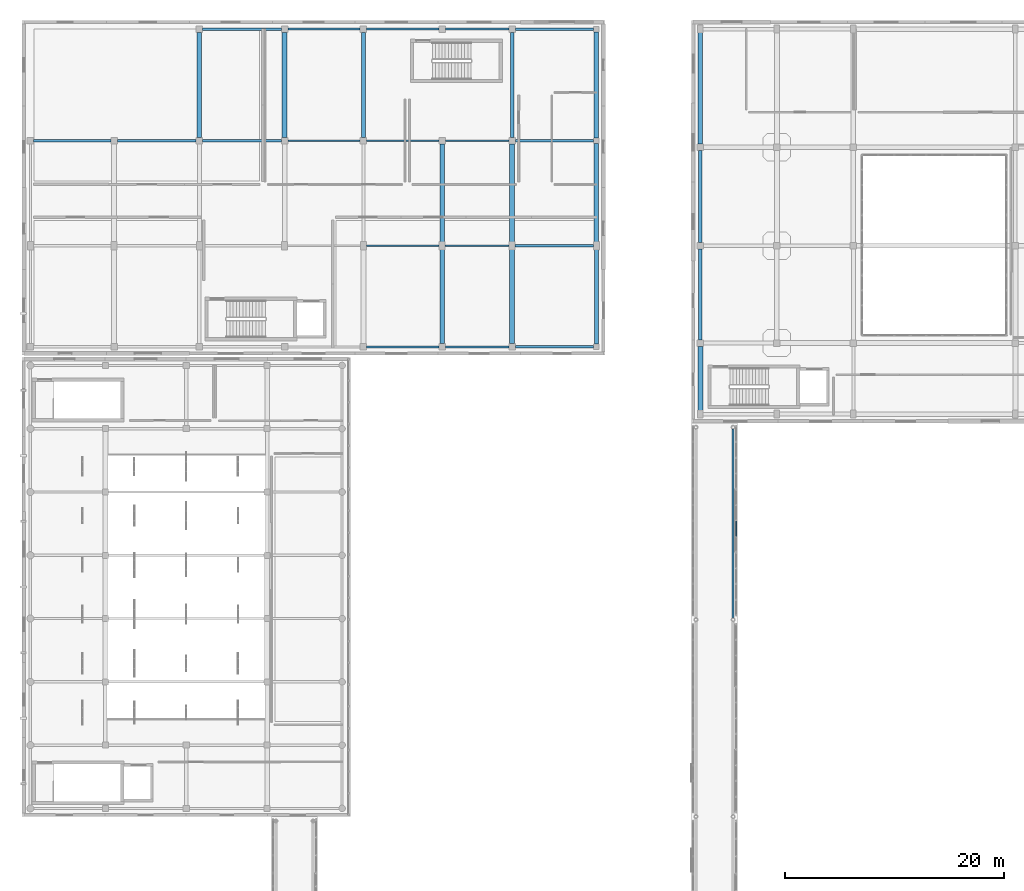
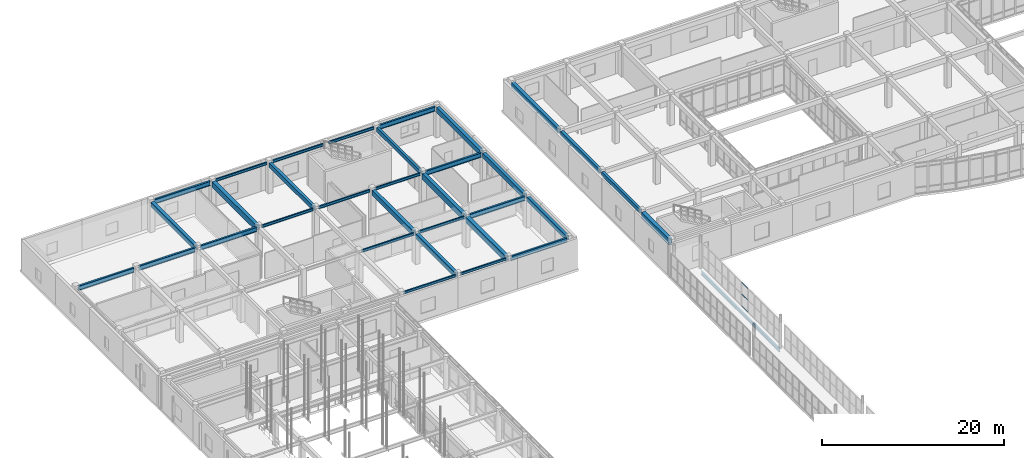
# One storey, part 65 of 142: 34 beams, 3 members, 1 element without a shape of its own.
"""IFC4 building model written with IfcOpenShell, lengths in metres."""

from ifc_helpers import new_model, si_unit, direction, frame, origin, origin_2d, place, context, subcontext, project, spatial, rectangle, hollow_rectangle, i_section, extrude, material, layer, layer_set, material_profile, profile_set, type_object, element, aggregate, save


model = new_model("IFC4")

# Units and contexts
model_context = context("Model", 3, precision=1e-05, world=origin(), true_north=direction((0.0, 1.0)))
body_context = subcontext(model_context, "Body", "Model", "MODEL_VIEW")
ifc_project = project(units=[si_unit("LENGTHUNIT", "METRE"), si_unit("AREAUNIT", "SQUARE_METRE"), si_unit("VOLUMEUNIT", "CUBIC_METRE"), si_unit("PLANEANGLEUNIT", "RADIAN"), si_unit("MASSUNIT", "GRAM", prefix="KILO")], contexts=[model_context])

# Site, building, storey
site_placement = place(None, origin())
site = spatial("IfcSite", under=ifc_project, at=site_placement, CompositionType="ELEMENT")
building_placement = place(site_placement, origin())
building = spatial("IfcBuilding", under=site, at=building_placement, Name="Valcora Specialist Clinic", CompositionType="ELEMENT")
storey_placement = place(building_placement, frame((0.0, 0.0, 5.10009765625)))
storey = spatial("IfcBuildingStorey", under=building, at=storey_placement, Name="L01", CompositionType="ELEMENT", Elevation=5.10009765625)

# Beams
ifc_material_1 = material(Name="Steel ASTM A992 Grade 50", Category="steel")
ifc_material_profile_1 = material_profile(ifc_material_1, i_section(OverallWidth=0.18994140625, OverallDepth=0.45703125, WebThickness=0.009033203125, FlangeThickness=0.014892578125, at=origin_2d()), Name="ST-IR-460X190")
ifc_profile_set_1 = profile_set([ifc_material_profile_1], Name="Steel ASTM A992 Grade 50")
beam_type_1 = type_object("IfcBeamType", Name="TY-BG-IR460", PredefinedType="HOLLOWCORE", material=ifc_profile_set_1)
beam_1_placement = place(storey_placement, frame((65.0, 56.159912109375, -0.482666015625), z_axis=(0.0, 1.0, 0.0), x_axis=(-1.0, 0.0, 0.0)))
element("IfcBeam", 1, at=beam_1_placement, inside=storey, type_object=beam_type_1, Name="Bridge girder BM-L01-1623", PredefinedType="HOLLOWCORE", context=body_context, shape_type="SweptSolid", body=[
    extrude(i_section(OverallWidth=0.18994140625, OverallDepth=0.45703125, WebThickness=0.009033203125, FlangeThickness=0.014892578125, at=origin_2d()), origin(), (0.0, 0.0, 1.0), 17.280029296875),
])
ifc_material_profile_2 = material_profile(ifc_material_1, i_section(OverallWidth=0.1708984375, OverallDepth=0.35595703125, WebThickness=0.008056640625, FlangeThickness=0.011962890625, at=origin_2d()), Name="ST-IR-360X170")
ifc_profile_set_2 = profile_set([ifc_material_profile_2], Name="Steel ASTM A992 Grade 50")
beam_type_2 = type_object("IfcBeamType", Name="TY-BM-IR360", PredefinedType="BEAM", material=ifc_profile_set_2)
beam_2_placement = place(storey_placement, frame((31.5, 80.949951171875, 3.947998046875), z_axis=(1.0, 0.0, 0.0), x_axis=(0.0, 1.0, 0.0)))
element("IfcBeam", 2, at=beam_2_placement, inside=storey, type_object=beam_type_2, Name="Beam BM-L01-0291", PredefinedType="BEAM", context=body_context, shape_type="SweptSolid", body=[
    extrude(i_section(OverallWidth=0.1708984375, OverallDepth=0.35595703125, WebThickness=0.008056640625, FlangeThickness=0.011962890625, at=origin_2d()), origin(), (0.0, 0.0, 1.0), 6.60009765625),
])
beam_3_placement = place(storey_placement, frame((38.699951171875, 80.949951171875, 3.947998046875), z_axis=(1.0, 0.0, 0.0), x_axis=(0.0, 1.0, 0.0)))
element("IfcBeam", 3, at=beam_3_placement, inside=storey, type_object=beam_type_2, Name="Beam BM-L01-0292", PredefinedType="BEAM", context=body_context, shape_type="SweptSolid", body=[
    extrude(i_section(OverallWidth=0.1708984375, OverallDepth=0.35595703125, WebThickness=0.008056640625, FlangeThickness=0.011962890625, at=origin_2d()), origin(), (0.0, 0.0, 1.0), 5.800048828125),
])
beam_4_placement = place(storey_placement, frame((31.47509765625, 90.199951171875, 3.947998046875), z_axis=(1.0, 0.0, 0.0), x_axis=(0.0, 1.0, 0.0)))
element("IfcBeam", 4, at=beam_4_placement, inside=storey, type_object=beam_type_2, Name="Beam BM-L01-0298", PredefinedType="BEAM", context=body_context, shape_type="SweptSolid", body=[
    extrude(i_section(OverallWidth=0.1708984375, OverallDepth=0.35595703125, WebThickness=0.008056640625, FlangeThickness=0.011962890625, at=origin_2d()), origin(), (0.0, 0.0, 1.0), 6.64990234375),
])
beam_5_placement = place(storey_placement, frame((38.675048828125, 90.199951171875, 3.947998046875), z_axis=(1.0, 0.0, 0.0), x_axis=(0.0, 1.0, 0.0)))
element("IfcBeam", 5, at=beam_5_placement, inside=storey, type_object=beam_type_2, Name="Beam BM-L01-0299", PredefinedType="BEAM", context=body_context, shape_type="SweptSolid", body=[
    extrude(i_section(OverallWidth=0.1708984375, OverallDepth=0.35595703125, WebThickness=0.008056640625, FlangeThickness=0.011962890625, at=origin_2d()), origin(), (0.0, 0.0, 1.0), 5.849853515625),
])
beam_6_placement = place(storey_placement, frame((24.300048828125, 99.800048828125, 3.947998046875), z_axis=(1.0, 0.0, 0.0), x_axis=(0.0, 1.0, 0.0)))
element("IfcBeam", 6, at=beam_6_placement, inside=storey, type_object=beam_type_2, Name="Beam BM-L01-0304", PredefinedType="BEAM", context=body_context, shape_type="SweptSolid", body=[
    extrude(i_section(OverallWidth=0.1708984375, OverallDepth=0.35595703125, WebThickness=0.008056640625, FlangeThickness=0.011962890625, at=origin_2d()), origin(), (0.0, 0.0, 1.0), 6.599853515625),
])
beam_7_placement = place(storey_placement, frame((31.5, 99.800048828125, 3.947998046875), z_axis=(1.0, 0.0, 0.0), x_axis=(0.0, 1.0, 0.0)))
element("IfcBeam", 7, at=beam_7_placement, inside=storey, type_object=beam_type_2, Name="Beam BM-L01-0305", PredefinedType="BEAM", context=body_context, shape_type="SweptSolid", body=[
    extrude(i_section(OverallWidth=0.1708984375, OverallDepth=0.35595703125, WebThickness=0.008056640625, FlangeThickness=0.011962890625, at=origin_2d()), origin(), (0.0, 0.0, 1.0), 6.60009765625),
])
beam_8_placement = place(storey_placement, frame((38.699951171875, 99.800048828125, 3.947998046875), z_axis=(1.0, 0.0, 0.0), x_axis=(0.0, 1.0, 0.0)))
element("IfcBeam", 8, at=beam_8_placement, inside=storey, type_object=beam_type_2, Name="Beam BM-L01-0306", PredefinedType="BEAM", context=body_context, shape_type="SweptSolid", body=[
    extrude(i_section(OverallWidth=0.1708984375, OverallDepth=0.35595703125, WebThickness=0.008056640625, FlangeThickness=0.011962890625, at=origin_2d()), origin(), (0.0, 0.0, 1.0), 5.800048828125),
])
beam_9_placement = place(storey_placement, frame((24.300048828125, 110.0, 3.947998046875), z_axis=(1.0, 0.0, 0.0), x_axis=(0.0, 1.0, 0.0)))
element("IfcBeam", 9, at=beam_9_placement, inside=storey, type_object=beam_type_2, Name="Beam BM-L01-0309", PredefinedType="BEAM", context=body_context, shape_type="SweptSolid", body=[
    extrude(i_section(OverallWidth=0.1708984375, OverallDepth=0.35595703125, WebThickness=0.008056640625, FlangeThickness=0.011962890625, at=origin_2d()), origin(), (0.0, 0.0, 1.0), 6.599853515625),
])
beam_10_placement = place(storey_placement, frame((31.5, 110.0, 3.947998046875), z_axis=(1.0, 0.0, 0.0), x_axis=(0.0, 1.0, 0.0)))
element("IfcBeam", 10, at=beam_10_placement, inside=storey, type_object=beam_type_2, Name="Beam BM-L01-0310", PredefinedType="BEAM", context=body_context, shape_type="SweptSolid", body=[
    extrude(i_section(OverallWidth=0.1708984375, OverallDepth=0.35595703125, WebThickness=0.008056640625, FlangeThickness=0.011962890625, at=origin_2d()), origin(), (0.0, 0.0, 1.0), 6.60009765625),
])
beam_11_placement = place(storey_placement, frame((38.699951171875, 110.0, 3.947998046875), z_axis=(1.0, 0.0, 0.0), x_axis=(0.0, 1.0, 0.0)))
element("IfcBeam", 11, at=beam_11_placement, inside=storey, type_object=beam_type_2, Name="Beam BM-L01-0311", PredefinedType="BEAM", context=body_context, shape_type="SweptSolid", body=[
    extrude(i_section(OverallWidth=0.1708984375, OverallDepth=0.35595703125, WebThickness=0.008056640625, FlangeThickness=0.011962890625, at=origin_2d()), origin(), (0.0, 0.0, 1.0), 5.800048828125),
])
ifc_material_profile_3 = material_profile(ifc_material_1, i_section(OverallWidth=0.22900390625, OverallDepth=0.612060546875, WebThickness=0.011962890625, FlangeThickness=0.02001953125, at=origin_2d()), Name="ST-IR-610X229")
ifc_profile_set_3 = profile_set([ifc_material_profile_3], Name="Steel ASTM A992 Grade 50")
beam_type_3 = type_object("IfcBeamType", Name="TY-BM-IR610", PredefinedType="BEAM", material=ifc_profile_set_3)
beam_12_placement = place(storey_placement, frame((45.10009765625, 80.949951171875, 3.81982421875), z_axis=(1.0, 0.0, 0.0), x_axis=(0.0, 1.0, 0.0)))
element("IfcBeam", 12, at=beam_12_placement, inside=storey, type_object=beam_type_3, Name="Beam BM-L01-0293", PredefinedType="BEAM", context=body_context, shape_type="SweptSolid", body=[
    extrude(i_section(OverallWidth=0.22900390625, OverallDepth=0.612060546875, WebThickness=0.011962890625, FlangeThickness=0.02001953125, at=origin_2d()), origin(), (0.0, 0.0, 1.0), 7.14990234375),
])
beam_13_placement = place(storey_placement, frame((45.074951171875, 90.199951171875, 3.81982421875), z_axis=(1.0, 0.0, 0.0), x_axis=(0.0, 1.0, 0.0)))
element("IfcBeam", 13, at=beam_13_placement, inside=storey, type_object=beam_type_3, Name="Beam BM-L01-0300", PredefinedType="BEAM", context=body_context, shape_type="SweptSolid", body=[
    extrude(i_section(OverallWidth=0.22900390625, OverallDepth=0.612060546875, WebThickness=0.011962890625, FlangeThickness=0.02001953125, at=origin_2d()), origin(), (0.0, 0.0, 1.0), 7.150146484375),
])
beam_14_placement = place(storey_placement, frame((1.050048828125, 99.800048828125, 3.81982421875), z_axis=(1.0, 0.0, 0.0), x_axis=(0.0, 1.0, 0.0)))
element("IfcBeam", 14, at=beam_14_placement, inside=storey, type_object=beam_type_3, Name="Beam BM-L01-0301", PredefinedType="BEAM", context=body_context, shape_type="SweptSolid", body=[
    extrude(i_section(OverallWidth=0.22900390625, OverallDepth=0.612060546875, WebThickness=0.011962890625, FlangeThickness=0.02001953125, at=origin_2d()), origin(), (0.0, 0.0, 1.0), 7.050048828125),
])
for number, where, z_axis, x_axis, name in (
    (15, (8.699951171875, 99.800048828125, 3.81982421875), (1.0, 0.0, 0.0), (0.0, 1.0, 0.0), "Beam BM-L01-0302"),
    (16, (16.5, 99.800048828125, 3.81982421875), (1.0, 0.0, 0.0), (0.0, 1.0, 0.0), "Beam BM-L01-0303"),
):
    element("IfcBeam", number, at=place(storey_placement, frame(where, z_axis=z_axis, x_axis=x_axis)), inside=storey, type_object=beam_type_3, Name=name, PredefinedType="BEAM", context=body_context, shape_type="SweptSolid", body=[
        extrude(i_section(OverallWidth=0.22900390625, OverallDepth=0.612060546875, WebThickness=0.011962890625, FlangeThickness=0.02001953125, at=origin_2d()), origin(), (0.0, 0.0, 1.0), 7.199951171875),
    ])
beam_15_placement = place(storey_placement, frame((45.10009765625, 99.800048828125, 3.81982421875), z_axis=(1.0, 0.0, 0.0), x_axis=(0.0, 1.0, 0.0)))
element("IfcBeam", 17, at=beam_15_placement, inside=storey, type_object=beam_type_3, Name="Beam BM-L01-0307", PredefinedType="BEAM", context=body_context, shape_type="SweptSolid", body=[
    extrude(i_section(OverallWidth=0.22900390625, OverallDepth=0.612060546875, WebThickness=0.011962890625, FlangeThickness=0.02001953125, at=origin_2d()), origin(), (0.0, 0.0, 1.0), 7.14990234375),
])
beam_16_placement = place(storey_placement, frame((16.5, 110.0, 3.81982421875), z_axis=(1.0, 0.0, 0.0), x_axis=(0.0, 1.0, 0.0)))
element("IfcBeam", 18, at=beam_16_placement, inside=storey, type_object=beam_type_3, Name="Beam BM-L01-0308", PredefinedType="BEAM", context=body_context, shape_type="SweptSolid", body=[
    extrude(i_section(OverallWidth=0.22900390625, OverallDepth=0.612060546875, WebThickness=0.011962890625, FlangeThickness=0.02001953125, at=origin_2d()), origin(), (0.0, 0.0, 1.0), 7.199951171875),
])
beam_17_placement = place(storey_placement, frame((45.10009765625, 110.0, 3.81982421875), z_axis=(1.0, 0.0, 0.0), x_axis=(0.0, 1.0, 0.0)))
element("IfcBeam", 19, at=beam_17_placement, inside=storey, type_object=beam_type_3, Name="Beam BM-L01-0312", PredefinedType="BEAM", context=body_context, shape_type="SweptSolid", body=[
    extrude(i_section(OverallWidth=0.22900390625, OverallDepth=0.612060546875, WebThickness=0.011962890625, FlangeThickness=0.02001953125, at=origin_2d()), origin(), (0.0, 0.0, 1.0), 7.14990234375),
])
ifc_material_2 = material(Name="Concrete C40/50", Category="concrete")
ifc_material_profile_4 = material_profile(ifc_material_2, rectangle(XDim=0.300048828125, YDim=0.550048828125, at=origin_2d()), Name="RC-BM-300X550")
ifc_profile_set_4 = profile_set([ifc_material_profile_4], Name="Concrete C40/50")
beam_type_4 = type_object("IfcBeamType", Name="TY-BM-RC300X550", PredefinedType="BEAM", material=ifc_profile_set_4)
beam_18_placement = place(storey_placement, frame((44.800048828125, 100.10009765625, 3.85498046875), z_axis=(0.0, 1.0, 0.0), x_axis=(-1.0, 0.0, 0.0)))
element("IfcBeam", 20, at=beam_18_placement, inside=storey, type_object=beam_type_4, Name="Beam BM-L01-0329", PredefinedType="BEAM", context=body_context, shape_type="SweptSolid", body=[
    extrude(rectangle(XDim=0.300048828125, YDim=0.550048828125, at=origin_2d()), origin(), (0.0, 0.0, 1.0), 9.599853515625),
])
beam_19_placement = place(storey_placement, frame((62.0, 81.60009765625, 3.869873046875), z_axis=(0.0, 1.0, 0.0), x_axis=(-1.0, 0.0, 0.0)))
element("IfcBeam", 21, at=beam_19_placement, inside=storey, type_object=beam_type_4, Name="Beam BM-L01-0659", PredefinedType="BEAM", context=body_context, shape_type="SweptSolid", body=[
    extrude(rectangle(XDim=0.300048828125, YDim=0.550048828125, at=origin_2d()), origin(), (0.0, 0.0, 1.0), 8.2998046875),
])
ifc_material_profile_5 = material_profile(ifc_material_2, rectangle(XDim=0.35009765625, YDim=0.60009765625, at=origin_2d()), Name="RC-BM-350X600")
ifc_profile_set_5 = profile_set([ifc_material_profile_5], Name="Concrete C40/50")
beam_type_5 = type_object("IfcBeamType", Name="TY-BM-RC350X600", PredefinedType="BEAM", material=ifc_profile_set_5)
beam_20_placement = place(storey_placement, frame((31.199951171875, 100.10009765625, 3.829833984375), z_axis=(0.0, 1.0, 0.0), x_axis=(-1.0, 0.0, 0.0)))
element("IfcBeam", 22, at=beam_20_placement, inside=storey, type_object=beam_type_5, Name="Beam BM-L01-0324", PredefinedType="BEAM", context=body_context, shape_type="SweptSolid", body=[
    extrude(rectangle(XDim=0.35009765625, YDim=0.60009765625, at=origin_2d()), origin(), (0.0, 0.0, 1.0), 9.599853515625),
])
beam_21_placement = place(storey_placement, frame((52.5, 81.199951171875, 3.829833984375), z_axis=(0.0, 1.0, 0.0), x_axis=(-1.0, 0.0, 0.0)))
element("IfcBeam", 23, at=beam_21_placement, inside=storey, type_object=beam_type_5, Name="Beam BM-L01-0330", PredefinedType="BEAM", context=body_context, shape_type="SweptSolid", body=[
    extrude(rectangle(XDim=0.35009765625, YDim=0.60009765625, at=origin_2d()), origin(), (0.0, 0.0, 1.0), 8.72509765625),
])
beam_22_placement = place(storey_placement, frame((62.0, 90.5, 3.844970703125), z_axis=(0.0, 1.0, 0.0), x_axis=(-1.0, 0.0, 0.0)))
element("IfcBeam", 24, at=beam_22_placement, inside=storey, type_object=beam_type_5, Name="Beam BM-L01-0660", PredefinedType="BEAM", context=body_context, shape_type="SweptSolid", body=[
    extrude(rectangle(XDim=0.35009765625, YDim=0.60009765625, at=origin_2d()), origin(), (0.0, 0.0, 1.0), 8.39990234375),
])
ifc_material_profile_6 = material_profile(ifc_material_2, rectangle(XDim=0.39990234375, YDim=0.64990234375, at=origin_2d()), Name="RC-BM-400X650")
ifc_profile_set_6 = profile_set([ifc_material_profile_6], Name="Concrete C40/50")
beam_type_6 = type_object("IfcBeamType", Name="TY-BM-RC400X650", PredefinedType="BEAM", material=ifc_profile_set_6)
beam_23_placement = place(storey_placement, frame((16.199951171875, 100.10009765625, 3.804931640625), z_axis=(0.0, 1.0, 0.0), x_axis=(-1.0, 0.0, 0.0)))
element("IfcBeam", 25, at=beam_23_placement, inside=storey, type_object=beam_type_6, Name="Beam BM-L01-0319", PredefinedType="BEAM", context=body_context, shape_type="SweptSolid", body=[
    extrude(rectangle(XDim=0.39990234375, YDim=0.64990234375, at=origin_2d()), origin(), (0.0, 0.0, 1.0), 9.599853515625),
])
beam_24_placement = place(storey_placement, frame((38.39990234375, 81.25, 3.804931640625), z_axis=(0.0, 1.0, 0.0), x_axis=(-1.0, 0.0, 0.0)))
element("IfcBeam", 26, at=beam_24_placement, inside=storey, type_object=beam_type_6, Name="Beam BM-L01-0325", PredefinedType="BEAM", context=body_context, shape_type="SweptSolid", body=[
    extrude(rectangle(XDim=0.39990234375, YDim=0.64990234375, at=origin_2d()), origin(), (0.0, 0.0, 1.0), 8.675048828125),
])
beam_25_placement = place(storey_placement, frame((52.5, 90.47509765625, 3.804931640625), z_axis=(0.0, 1.0, 0.0), x_axis=(-1.0, 0.0, 0.0)))
element("IfcBeam", 27, at=beam_25_placement, inside=storey, type_object=beam_type_6, Name="Beam BM-L01-0331", PredefinedType="BEAM", context=body_context, shape_type="SweptSolid", body=[
    extrude(rectangle(XDim=0.39990234375, YDim=0.64990234375, at=origin_2d()), origin(), (0.0, 0.0, 1.0), 9.074951171875),
])
beam_26_placement = place(storey_placement, frame((62.0, 99.5, 3.81982421875), z_axis=(0.0, 1.0, 0.0), x_axis=(-1.0, 0.0, 0.0)))
element("IfcBeam", 28, at=beam_26_placement, inside=storey, type_object=beam_type_6, Name="Beam BM-L01-0661", PredefinedType="BEAM", context=body_context, shape_type="SweptSolid", body=[
    extrude(rectangle(XDim=0.39990234375, YDim=0.64990234375, at=origin_2d()), origin(), (0.0, 0.0, 1.0), 10.25),
])
ifc_material_profile_7 = material_profile(ifc_material_2, rectangle(XDim=0.39990234375, YDim=0.699951171875, at=origin_2d()), Name="RC-BM-400X700")
ifc_profile_set_7 = profile_set([ifc_material_profile_7], Name="Concrete C40/50")
beam_type_7 = type_object("IfcBeamType", Name="TY-BM-RC400X700", PredefinedType="BEAM", material=ifc_profile_set_7)
beam_27_placement = place(storey_placement, frame((38.39990234375, 90.47509765625, 3.77978515625), z_axis=(0.0, 1.0, 0.0), x_axis=(-1.0, 0.0, 0.0)))
element("IfcBeam", 29, at=beam_27_placement, inside=storey, type_object=beam_type_7, Name="Beam BM-L01-0326", PredefinedType="BEAM", context=body_context, shape_type="SweptSolid", body=[
    extrude(rectangle(XDim=0.39990234375, YDim=0.699951171875, at=origin_2d()), origin(), (0.0, 0.0, 1.0), 9.02490234375),
])
beam_28_placement = place(storey_placement, frame((52.5, 100.050048828125, 3.77978515625), z_axis=(0.0, 1.0, 0.0), x_axis=(-1.0, 0.0, 0.0)))
element("IfcBeam", 30, at=beam_28_placement, inside=storey, type_object=beam_type_7, Name="Beam BM-L01-0332", PredefinedType="BEAM", context=body_context, shape_type="SweptSolid", body=[
    extrude(rectangle(XDim=0.39990234375, YDim=0.699951171875, at=origin_2d()), origin(), (0.0, 0.0, 1.0), 9.699951171875),
])
ifc_material_profile_8 = material_profile(ifc_material_2, rectangle(XDim=0.449951171875, YDim=0.75, at=origin_2d()), Name="RC-BM-450X750")
ifc_profile_set_8 = profile_set([ifc_material_profile_8], Name="Concrete C40/50")
beam_type_8 = type_object("IfcBeamType", Name="TY-BM-RC450X750", PredefinedType="BEAM", material=ifc_profile_set_8)
beam_29_placement = place(storey_placement, frame((24.0, 100.10009765625, 3.7548828125), z_axis=(0.0, 1.0, 0.0), x_axis=(-1.0, 0.0, 0.0)))
element("IfcBeam", 31, at=beam_29_placement, inside=storey, type_object=beam_type_8, Name="Beam BM-L01-0321", PredefinedType="BEAM", context=body_context, shape_type="SweptSolid", body=[
    extrude(rectangle(XDim=0.449951171875, YDim=0.75, at=origin_2d()), origin(), (0.0, 0.0, 1.0), 9.599853515625),
])
beam_30_placement = place(storey_placement, frame((44.800048828125, 81.25, 3.7548828125), z_axis=(0.0, 1.0, 0.0), x_axis=(-1.0, 0.0, 0.0)))
element("IfcBeam", 32, at=beam_30_placement, inside=storey, type_object=beam_type_8, Name="Beam BM-L01-0327", PredefinedType="BEAM", context=body_context, shape_type="SweptSolid", body=[
    extrude(rectangle(XDim=0.449951171875, YDim=0.75, at=origin_2d()), origin(), (0.0, 0.0, 1.0), 8.675048828125),
])
ifc_material_profile_9 = material_profile(ifc_material_2, rectangle(XDim=0.449951171875, YDim=0.800048828125, at=origin_2d()), Name="RC-BM-450X800")
ifc_profile_set_9 = profile_set([ifc_material_profile_9], Name="Concrete C40/50")
beam_type_9 = type_object("IfcBeamType", Name="TY-BM-RC450X800", PredefinedType="BEAM", material=ifc_profile_set_9)
beam_31_placement = place(storey_placement, frame((44.800048828125, 90.47509765625, 3.72998046875), z_axis=(0.0, 1.0, 0.0), x_axis=(-1.0, 0.0, 0.0)))
element("IfcBeam", 33, at=beam_31_placement, inside=storey, type_object=beam_type_9, Name="Beam BM-L01-0328", PredefinedType="BEAM", context=body_context, shape_type="SweptSolid", body=[
    extrude(rectangle(XDim=0.449951171875, YDim=0.800048828125, at=origin_2d()), origin(), (0.0, 0.0, 1.0), 9.02490234375),
])
beam_32_placement = place(storey_placement, frame((62.0, 75.050048828125, 3.744873046875), z_axis=(0.0, 1.0, 0.0), x_axis=(-1.0, 0.0, 0.0)))
element("IfcBeam", 34, at=beam_32_placement, inside=storey, type_object=beam_type_9, Name="Beam BM-L01-0658", PredefinedType="BEAM", context=body_context, shape_type="SweptSolid", body=[
    extrude(rectangle(XDim=0.449951171875, YDim=0.800048828125, at=origin_2d()), origin(), (0.0, 0.0, 1.0), 5.949951171875),
])

# Curtain wall, members
ifc_material_3 = material(Name="Anodized Bronze Aluminium 6063-T6", Category="aluminium")
ifc_layer = layer(ifc_material_3, 0.175048828125)
ifc_layer_set = layer_set([ifc_layer], Name="Anodized Bronze Aluminium 6063-T6")
curtain_wall_type = type_object("IfcCurtainWallType", Name="TY-CW-BRG14", PredefinedType="NOTDEFINED", material=ifc_layer_set)
curtain_wall_placement = place(storey_placement, origin())
curtain_wall = element("IfcCurtainWall", 35, at=curtain_wall_placement, inside=storey, type_object=curtain_wall_type, Name="Curtain wall CW-L01-247", PredefinedType="NOTDEFINED")
ifc_material_profile_10 = material_profile(ifc_material_3, hollow_rectangle(XDim=0.06494140625, YDim=0.1298828125, WallThickness=0.00390625, at=origin_2d()), Name="AL-TRN-65X130")
ifc_profile_set_10 = profile_set([ifc_material_profile_10], Name="Anodized Bronze Aluminium 6063-T6")
member_type = type_object("IfcMemberType", Name="TY-CWT-65X130", PredefinedType="USERDEFINED", material=ifc_profile_set_10)
member_1_placement = place(storey_placement, frame((65.280029296875, 63.640869140625, 0.032470703125), z_axis=(0.0, 1.0, 0.0), x_axis=(-1.0, 0.0, 0.0)))
member_1 = element("IfcMember", 36, at=member_1_placement, type_object=member_type, Name="CW-BRG-14 transom 2.1", ObjectType="TRANSOM", PredefinedType="USERDEFINED", context=body_context, shape_type="SweptSolid", body=[
    extrude(hollow_rectangle(XDim=0.06494140625, YDim=0.1298828125, WallThickness=0.00390625, at=origin_2d()), origin(), (0.0, 0.0, 1.0), 1.376708984375),
])
member_2_placement = place(storey_placement, frame((65.280029296875, 63.640869140625, 1.619873046875), z_axis=(0.0, 1.0, 0.0), x_axis=(-1.0, 0.0, 0.0)))
member_2 = element("IfcMember", 37, at=member_2_placement, type_object=member_type, Name="CW-BRG-14 transom 2.2", ObjectType="TRANSOM", PredefinedType="USERDEFINED", context=body_context, shape_type="SweptSolid", body=[
    extrude(hollow_rectangle(XDim=0.06494140625, YDim=0.1298828125, WallThickness=0.00390625, at=origin_2d()), origin(), (0.0, 0.0, 1.0), 1.376708984375),
])
member_3_placement = place(storey_placement, frame((65.280029296875, 63.640869140625, 3.20751953125), z_axis=(0.0, 1.0, 0.0), x_axis=(-1.0, 0.0, 0.0)))
member_3 = element("IfcMember", 38, at=member_3_placement, type_object=member_type, Name="CW-BRG-14 transom 2.3", ObjectType="TRANSOM", PredefinedType="USERDEFINED", context=body_context, shape_type="SweptSolid", body=[
    extrude(hollow_rectangle(XDim=0.06494140625, YDim=0.1298828125, WallThickness=0.00390625, at=origin_2d()), origin(), (0.0, 0.0, 1.0), 1.376708984375),
])
aggregate(curtain_wall, [member_1, member_2, member_3])

save(model, "model.ifc")
